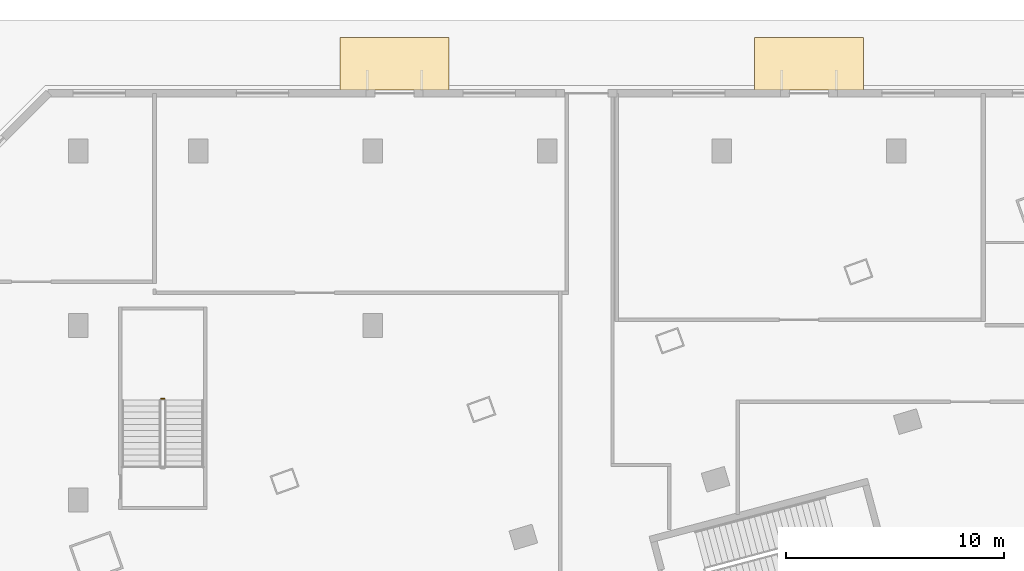
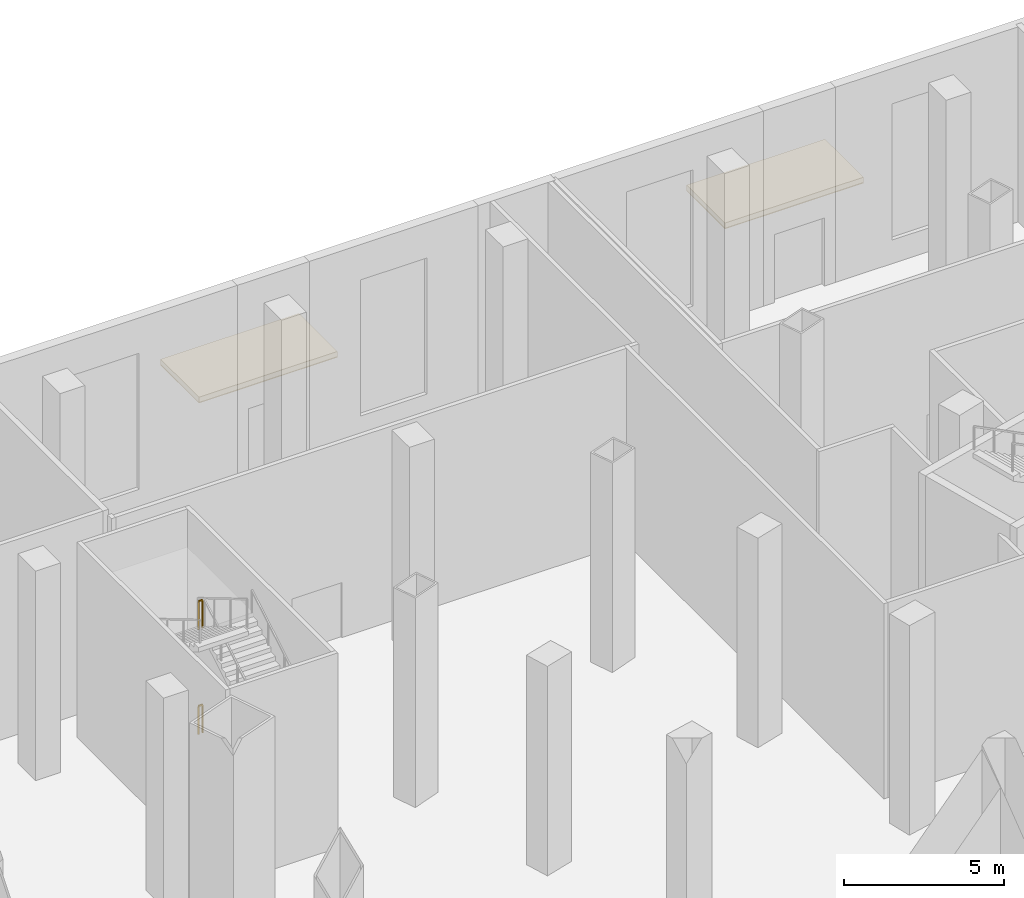
# One storey, part 31 of 33: 4 coverings, 2 railings.
"""IFC4 building model written with IfcOpenShell, lengths in metres."""

from ifc_helpers import new_model, si_unit, direction, frame, origin, origin_2d, place, context, subcontext, project, spatial, polyline, rectangle, outline, extrude, material, layer, layer_set, type_object, element, save


model = new_model("IFC4")

# Units and contexts
model_context = context("Model", 3, precision=1e-05, world=origin(), true_north=direction((0.0, 1.0)))
body_context = subcontext(model_context, "Body", "Model", "MODEL_VIEW")
ifc_project = project(units=[si_unit("LENGTHUNIT", "METRE"), si_unit("AREAUNIT", "SQUARE_METRE"), si_unit("VOLUMEUNIT", "CUBIC_METRE"), si_unit("PLANEANGLEUNIT", "RADIAN"), si_unit("MASSUNIT", "GRAM", prefix="KILO")], contexts=[model_context])

# Site, building, storey
site_placement = place(None, origin())
site = spatial("IfcSite", under=ifc_project, at=site_placement, CompositionType="ELEMENT")
building_placement = place(site_placement, origin())
building = spatial("IfcBuilding", under=site, at=building_placement, Name="Alderwake Tower", CompositionType="ELEMENT")
storey_placement = place(building_placement, origin())
storey = spatial("IfcBuildingStorey", under=building, at=storey_placement, Name="L00", CompositionType="ELEMENT", Elevation=0.0)

# Coverings
ifc_material_1 = material(Name="Bronze anodised aluminium soffit panel", Category="aluminium")
ifc_layer_1 = layer(ifc_material_1, 0.030029296875)
ifc_layer_set_1 = layer_set([ifc_layer_1], Name="Canopy soffit panel 30")
covering_type_1 = type_object("IfcCoveringType", Name="Canopy soffit panel 30", PredefinedType="CLADDING", material=ifc_layer_set_1)
covering_1_placement = place(storey_placement, frame((0.0, 0.0, 3.169921875)))
element("IfcCovering", 1, at=covering_1_placement, inside=storey, type_object=covering_type_1, Name="Canopy soffit cladding", PredefinedType="CLADDING", context=body_context, shape_type="SweptSolid", body=[
    extrude(outline(polyline([(46.5, 117.199951171875), (41.5, 117.199951171875), (41.5, 114.800048828125), (46.5, 114.800048828125), (46.5, 117.199951171875)])), origin(), (0.0, 0.0, 1.0), 0.030029296875),
])
covering_2_placement = place(storey_placement, frame((0.0, 0.0, 3.169921875)))
element("IfcCovering", 2, at=covering_2_placement, inside=storey, type_object=covering_type_1, Name="Canopy soffit cladding", PredefinedType="CLADDING", context=body_context, shape_type="SweptSolid", body=[
    extrude(outline(polyline([(27.5, 117.199951171875), (22.5, 117.199951171875), (22.5, 114.800048828125), (27.5, 114.800048828125), (27.5, 117.199951171875)])), origin(), (0.0, 0.0, 1.0), 0.030029296875),
])
ifc_material_2 = material(Name="Bronze anodised aluminium standing-seam roofing", Category="aluminium")
ifc_layer_2 = layer(ifc_material_2, 0.199951171875)
ifc_layer_set_2 = layer_set([ifc_layer_2], Name="Entrance canopy roofing 200")
covering_type_2 = type_object("IfcCoveringType", Name="Entrance canopy roofing 200", PredefinedType="ROOFING", material=ifc_layer_set_2)
covering_3_placement = place(storey_placement, frame((0.0, 0.0, 3.199951171875)))
element("IfcCovering", 3, at=covering_3_placement, inside=storey, type_object=covering_type_2, Name="Entrance canopy", PredefinedType="ROOFING", context=body_context, shape_type="SweptSolid", body=[
    extrude(outline(polyline([(46.5, 117.199951171875), (41.5, 117.199951171875), (41.5, 114.800048828125), (46.5, 114.800048828125), (46.5, 117.199951171875)])), origin(), (0.0, 0.0, 1.0), 0.199951171875),
])
covering_4_placement = place(storey_placement, frame((0.0, 0.0, 3.199951171875)))
element("IfcCovering", 4, at=covering_4_placement, inside=storey, type_object=covering_type_2, Name="Entrance canopy", PredefinedType="ROOFING", context=body_context, shape_type="SweptSolid", body=[
    extrude(outline(polyline([(27.5, 117.199951171875), (22.5, 117.199951171875), (22.5, 114.800048828125), (27.5, 114.800048828125), (27.5, 117.199951171875)])), origin(), (0.0, 0.0, 1.0), 0.199951171875),
])

# Railings
ifc_material_3 = material(Name="Stainless steel guard", Category="steel")
railing_type = type_object("IfcRailingType", Name="Stair guard 1100", PredefinedType="GUARDRAIL", material=ifc_material_3)
for number, where, name in (
    (5, (14.449951171875, 100.6298828125, 2.0), "L00 ST-P2 stair guard 2"),
    (6, (14.449951171875, 100.6298828125, 6.0), "L00 ST-P2 stair guard 6"),
):
    element("IfcRailing", number, at=place(storey_placement, frame(where)), inside=storey, type_object=railing_type, Name=name, PredefinedType="GUARDRAIL", context=body_context, shape_type="SweptSolid", body=[
        extrude(rectangle(XDim=0.048095703125, YDim=0.048095703125, at=origin_2d()), frame((0.0, 0.0, 1.076171875), z_axis=(-1.0, 0.0, 0.0), x_axis=(0.0, -1.0, 0.0)), (0.0, 0.0, 1.0), 0.14990234375),
        extrude(rectangle(XDim=0.0419921875, YDim=0.0419921875, at=origin_2d()), frame((0.0, 0.0, 0.0), z_axis=(0.0, 0.0, 1.0), x_axis=(-1.0, 0.0, 0.0)), (0.0, 0.0, 1.0), 1.052001953125),
        extrude(rectangle(XDim=0.0419921875, YDim=0.0419921875, at=origin_2d()), frame((-0.14990234375, 0.0, 0.0), z_axis=(0.0, 0.0, 1.0), x_axis=(-1.0, 0.0, 0.0)), (0.0, 0.0, 1.0), 1.052001953125),
    ])

save(model, "model.ifc")
